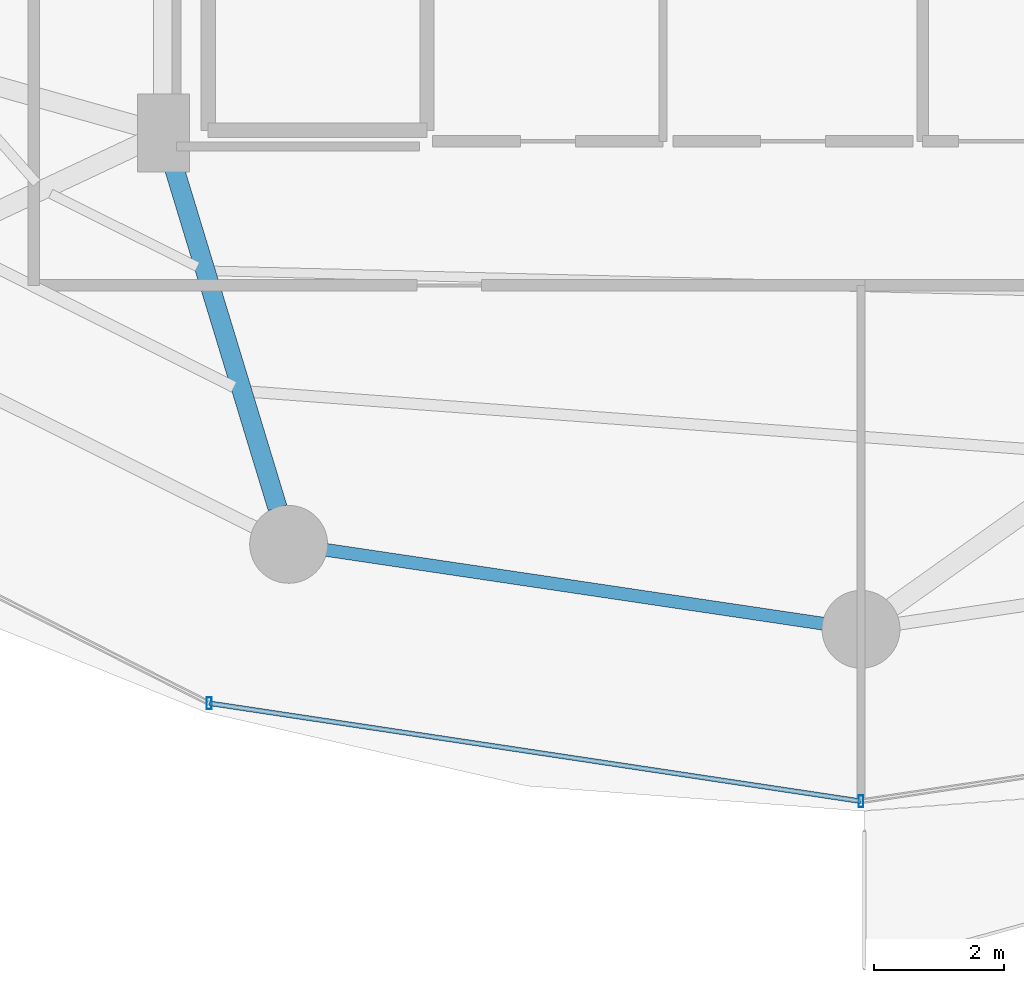
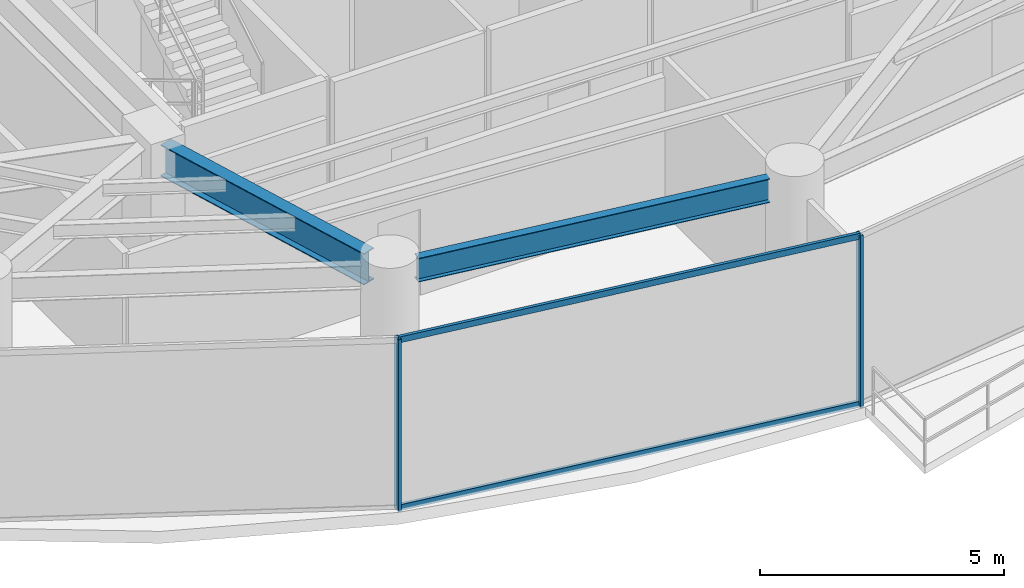
# One storey, part 4 of 27: 4 members, 2 beams, 1 element without a shape of its own.
"""IFC4 building model written with IfcOpenShell, lengths in metres."""

from ifc_helpers import new_model, si_unit, direction, frame, origin, origin_2d, place, context, subcontext, project, spatial, hollow_rectangle, i_section, extrude, material, material_profile, profile_set, type_object, element, aggregate, save


model = new_model("IFC4")

# Units and contexts
model_context = context("Model", 3, precision=1e-05, world=origin(), true_north=direction((0.0, 1.0)))
body_context = subcontext(model_context, "Body", "Model", "MODEL_VIEW")
ifc_project = project(units=[si_unit("LENGTHUNIT", "METRE"), si_unit("AREAUNIT", "SQUARE_METRE"), si_unit("VOLUMEUNIT", "CUBIC_METRE"), si_unit("PLANEANGLEUNIT", "RADIAN"), si_unit("MASSUNIT", "GRAM", prefix="KILO")], contexts=[model_context])

# Site, building, storey
site_placement = place(None, origin())
site = spatial("IfcSite", under=ifc_project, at=site_placement, CompositionType="ELEMENT")
building_placement = place(site_placement, origin())
building = spatial("IfcBuilding", under=site, at=building_placement, Name="Vorneva Point Tower", CompositionType="ELEMENT")
storey_placement = place(building_placement, frame((0.0, 0.0, 74.300048828125)))
storey = spatial("IfcBuildingStorey", under=building, at=storey_placement, Name="L19", CompositionType="ELEMENT", Elevation=74.300048828125)

# Beams
ifc_material_1 = material(Name="Steel S355", Category="steel")
ifc_material_profile_1 = material_profile(ifc_material_1, i_section(OverallWidth=0.300048828125, OverallDepth=0.7880859375, WebThickness=0.014404296875, FlangeThickness=0.02197265625, at=origin_2d()), Name="80Sh1")
ifc_profile_set_1 = profile_set([ifc_material_profile_1], Name="Steel S355")
beam_type_1 = type_object("IfcBeamType", Name="BM-GRD-80Sh1", PredefinedType="USERDEFINED", material=ifc_profile_set_1)
beam_1_placement = place(storey_placement, frame((29.008056640625, 10.671875, 3.845947265625), z_axis=(-0.291059345278, 0.956705000262, 0.0), x_axis=(-0.956705000262, -0.291059345278, 0.0)))
element("IfcBeam", 1, at=beam_1_placement, inside=storey, type_object=beam_type_1, Name="L19 Radial Primary Girder 12", ObjectType="GIRDER", PredefinedType="USERDEFINED", context=body_context, shape_type="SweptSolid", body=[
    extrude(i_section(OverallWidth=0.300048828125, OverallDepth=0.7880859375, WebThickness=0.014404296875, FlangeThickness=0.02197265625, at=origin_2d()), origin(), (0.0, 0.0, 1.0), 5.69970703125),
])
ifc_material_profile_2 = material_profile(ifc_material_1, i_section(OverallWidth=0.198974609375, OverallDepth=0.595947265625, WebThickness=0.010009765625, FlangeThickness=0.014892578125, at=origin_2d()), Name="60B1")
ifc_profile_set_2 = profile_set([ifc_material_profile_2], Name="Steel S355")
beam_type_2 = type_object("IfcBeamType", Name="BM-SPN-60B1", PredefinedType="SPANDREL", material=ifc_profile_set_2)
beam_2_placement = place(storey_placement, frame((29.7578125, 10.0234375, 3.94189453125), z_axis=(0.989164004747, -0.146814753046, 0.0), x_axis=(0.146814753046, 0.989164004747, 0.0)))
element("IfcBeam", 2, at=beam_2_placement, inside=storey, type_object=beam_type_2, Name="L19 Perimeter Spandrel Ring Beam 12", PredefinedType="SPANDREL", context=body_context, shape_type="SweptSolid", body=[
    extrude(i_section(OverallWidth=0.198974609375, OverallDepth=0.595947265625, WebThickness=0.010009765625, FlangeThickness=0.014892578125, at=origin_2d()), origin(), (0.0, 0.0, 1.0), 7.74755859375),
])

# Curtain wall, members
ifc_material_2 = material(Name="Pale anodised aluminium", Category="aluminium")
curtain_wall_type = type_object("IfcCurtainWallType", Name="CW-SKY-SYS", PredefinedType="NOTDEFINED", material=ifc_material_2)
curtain_wall_placement = place(storey_placement, origin())
curtain_wall = element("IfcCurtainWall", 3, at=curtain_wall_placement, inside=storey, type_object=curtain_wall_type, Name="L19 Unitised Curtain Wall CW-L19-R04", PredefinedType="NOTDEFINED")
ifc_material_profile_3 = material_profile(ifc_material_2, hollow_rectangle(XDim=0.074951171875, YDim=0.179931640625, WallThickness=0.00390625, at=origin_2d()), Name="AL-MUL 180x75x4")
ifc_profile_set_3 = profile_set([ifc_material_profile_3], Name="Pale anodised aluminium")
member_type_1 = type_object("IfcMemberType", Name="CW-MUL-180", PredefinedType="MULLION", material=ifc_profile_set_3)
member_1_placement = place(storey_placement, frame((27.95458984375, 7.660888671875, -0.0400390625), z_axis=(0.0, 0.0, 1.0), x_axis=(1.0, 0.0, 0.0)))
member_1 = element("IfcMember", 4, at=member_1_placement, type_object=member_type_1, Name="CW-L19-R04 Mullion 02", PredefinedType="MULLION", context=body_context, shape_type="SweptSolid", body=[
    extrude(hollow_rectangle(XDim=0.074951171875, YDim=0.179931640625, WallThickness=0.00390625, at=origin_2d()), origin(), (0.0, 0.0, 1.0), 4.31005859375),
])
member_2_placement = place(storey_placement, frame((38.0, 6.14990234375, -0.0400390625), z_axis=(0.0, 0.0, 1.0), x_axis=(1.0, 0.0, 0.0)))
member_2 = element("IfcMember", 5, at=member_2_placement, type_object=member_type_1, Name="CW-L19-R04 Mullion 03", PredefinedType="MULLION", context=body_context, shape_type="SweptSolid", body=[
    extrude(hollow_rectangle(XDim=0.074951171875, YDim=0.179931640625, WallThickness=0.00390625, at=origin_2d()), origin(), (0.0, 0.0, 1.0), 4.31005859375),
])
ifc_material_profile_4 = material_profile(ifc_material_2, hollow_rectangle(XDim=0.074951171875, YDim=0.14990234375, WallThickness=0.00390625, at=origin_2d()), Name="AL-TRN 150x75x4")
ifc_profile_set_4 = profile_set([ifc_material_profile_4], Name="Pale anodised aluminium")
member_type_2 = type_object("IfcMemberType", Name="CW-TRN-150", PredefinedType="USERDEFINED", material=ifc_profile_set_4)
member_3_placement = place(storey_placement, frame((27.95458984375, 7.660888671875, 0.02001953125), z_axis=(0.988875982167, -0.148742367512, 0.0), x_axis=(0.148742367512, 0.988875982167, 0.0)))
member_3 = element("IfcMember", 6, at=member_3_placement, type_object=member_type_2, Name="CW-L19-R04 Transom 02.1", ObjectType="TRANSOM", PredefinedType="USERDEFINED", context=body_context, shape_type="SweptSolid", body=[
    extrude(hollow_rectangle(XDim=0.074951171875, YDim=0.14990234375, WallThickness=0.00390625, at=origin_2d()), origin(), (0.0, 0.0, 1.0), 10.158447265625),
])
member_4_placement = place(storey_placement, frame((27.95458984375, 7.660888671875, 4.219970703125), z_axis=(0.988875982167, -0.148742367512, 0.0), x_axis=(0.148742367512, 0.988875982167, 0.0)))
member_4 = element("IfcMember", 7, at=member_4_placement, type_object=member_type_2, Name="CW-L19-R04 Transom 02.2", ObjectType="TRANSOM", PredefinedType="USERDEFINED", context=body_context, shape_type="SweptSolid", body=[
    extrude(hollow_rectangle(XDim=0.074951171875, YDim=0.14990234375, WallThickness=0.00390625, at=origin_2d()), origin(), (0.0, 0.0, 1.0), 10.158447265625),
])
aggregate(curtain_wall, [member_1, member_2, member_3, member_4])

save(model, "model.ifc")
